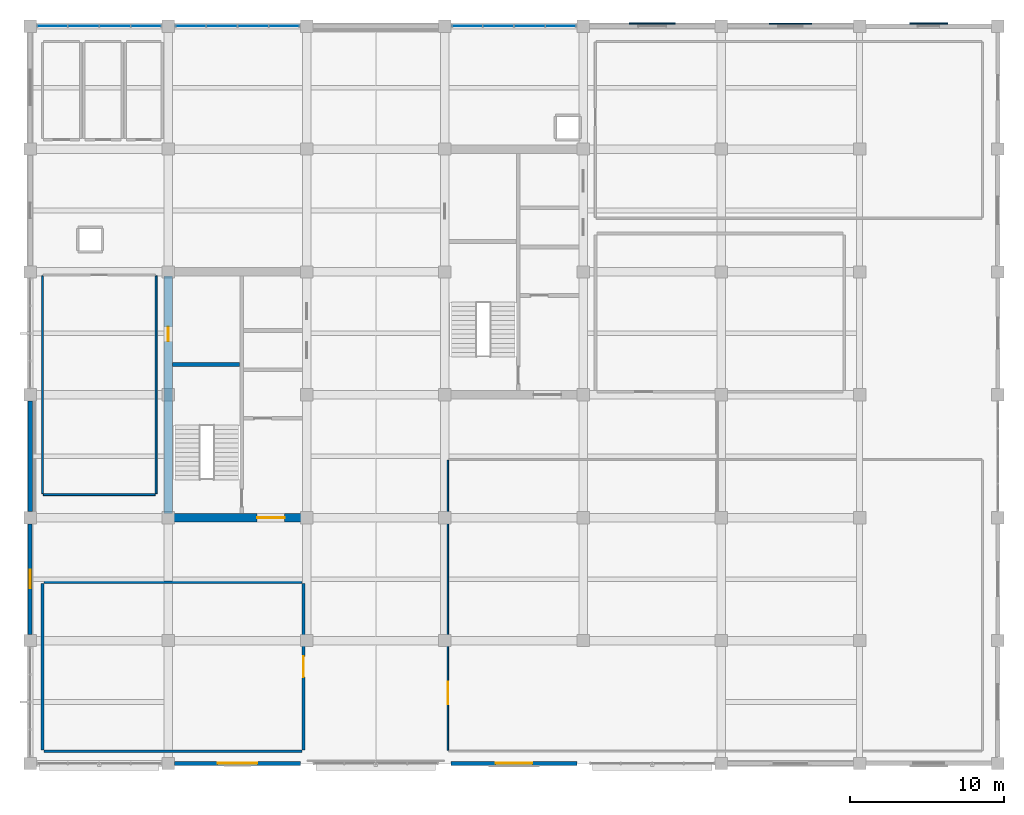
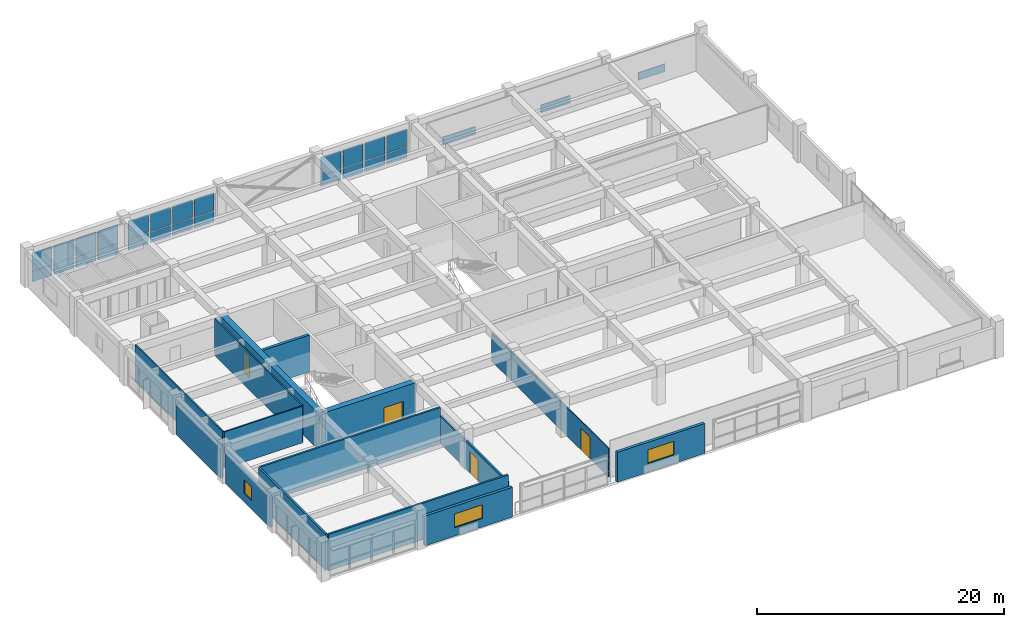
# One storey, part 12 of 16: 27 plates, 15 walls, 4 doors, 3 windows, 7 openings, 3 elements without a shape of their own.
"""IFC4 building model written with IfcOpenShell, lengths in metres."""

from ifc_helpers import new_model, si_unit, direction, frame, frame_2d, origin, place, context, subcontext, project, spatial, rectangle, extrude, material, layer, layer_set, type_object, element, fill, aggregate, save


model = new_model("IFC4")

# Units and contexts
model_context = context("Model", 3, precision=1e-05, world=origin(), true_north=direction((0.0, 1.0)))
body_context = subcontext(model_context, "Body", "Model", "MODEL_VIEW")
ifc_project = project(units=[si_unit("LENGTHUNIT", "METRE"), si_unit("AREAUNIT", "SQUARE_METRE"), si_unit("VOLUMEUNIT", "CUBIC_METRE"), si_unit("PLANEANGLEUNIT", "RADIAN"), si_unit("MASSUNIT", "GRAM", prefix="KILO")], contexts=[model_context])

# Site, building, storey
site_placement = place(None, origin())
site = spatial("IfcSite", under=ifc_project, at=site_placement, CompositionType="ELEMENT")
building_placement = place(site_placement, origin())
building = spatial("IfcBuilding", under=site, at=building_placement, Name="Zaverband Oceanarium and Marine Research Institute", CompositionType="ELEMENT")
storey_placement = place(building_placement, frame((0.0, 0.0, 41.39990234375)))
storey = spatial("IfcBuildingStorey", under=building, at=storey_placement, Name="L10", CompositionType="ELEMENT", Elevation=41.39990234375)

# Curtain wall, plates
ifc_material_1 = material(Name="Thermally broken anodized aluminium and solar-control glass", Category="aluminium")
curtain_wall_type = type_object("IfcCurtainWallType", Name="CW-UNIT-1800", PredefinedType="NOTDEFINED", material=ifc_material_1)
curtain_wall_1_placement = place(storey_placement, origin())
curtain_wall_1 = element("IfcCurtainWall", 1, at=curtain_wall_1_placement, inside=storey, type_object=curtain_wall_type, Name="Unitised glazed curtain wall CW-115", PredefinedType="NOTDEFINED")
ifc_material_2 = material(Name="Low-E double-glazed solar-control glass", Category="glass")
ifc_layer_1 = layer(ifc_material_2, 0.033935546875, Name="Low-E double-glazed solar-control glass")
ifc_layer_set_1 = layer_set([ifc_layer_1], Name="Low-E double-glazed solar-control glass")
plate_type_1 = type_object("IfcPlateType", Name="CWP-1820x1043", PredefinedType="CURTAIN_PANEL", material=ifc_layer_set_1)
plate_1_placement = place(storey_placement, frame((9.485107421875, 112.0, 0.050048828125), z_axis=(0.0, 0.0, 1.0), x_axis=(1.0, 0.0, 0.0)))
plate_1 = element("IfcPlate", 2, at=plate_1_placement, type_object=plate_type_1, Name="Glazed curtain wall panel CWP-1820x1043", PredefinedType="CURTAIN_PANEL", context=body_context, shape_type="SweptSolid", body=[
    extrude(rectangle(XDim=1.887451171875, YDim=0.033935546875, at=frame_2d((0.94384765625, 0.0))), origin(), (0.0, 0.0, 1.0), 1.031982421875),
])
plate_2_placement = place(storey_placement, frame((11.532470703125, 112.0, 0.050048828125), z_axis=(0.0, 0.0, 1.0), x_axis=(1.0, 0.0, 0.0)))
plate_2 = element("IfcPlate", 3, at=plate_2_placement, type_object=plate_type_1, Name="Glazed curtain wall panel CWP-1820x1043", PredefinedType="CURTAIN_PANEL", context=body_context, shape_type="SweptSolid", body=[
    extrude(rectangle(XDim=1.887451171875, YDim=0.033935546875, at=frame_2d((0.94384765625, 0.0))), origin(), (0.0, 0.0, 1.0), 1.031982421875),
])
plate_3_placement = place(storey_placement, frame((13.580078125, 112.0, 0.050048828125), z_axis=(0.0, 0.0, 1.0), x_axis=(1.0, 0.0, 0.0)))
plate_3 = element("IfcPlate", 4, at=plate_3_placement, type_object=plate_type_1, Name="Glazed curtain wall panel CWP-1820x1043", PredefinedType="CURTAIN_PANEL", context=body_context, shape_type="SweptSolid", body=[
    extrude(rectangle(XDim=1.887451171875, YDim=0.033935546875, at=frame_2d((0.94384765625, 0.0))), origin(), (0.0, 0.0, 1.0), 1.031982421875),
])
plate_4_placement = place(storey_placement, frame((15.62744140625, 112.0, 0.050048828125), z_axis=(0.0, 0.0, 1.0), x_axis=(1.0, 0.0, 0.0)))
plate_4 = element("IfcPlate", 5, at=plate_4_placement, type_object=plate_type_1, Name="Glazed curtain wall panel CWP-1820x1043", PredefinedType="CURTAIN_PANEL", context=body_context, shape_type="SweptSolid", body=[
    extrude(rectangle(XDim=1.887451171875, YDim=0.033935546875, at=frame_2d((0.94384765625, 0.0))), origin(), (0.0, 0.0, 1.0), 1.031982421875),
])

curtain_wall_2_placement = place(storey_placement, origin())
curtain_wall_2 = element("IfcCurtainWall", 6, at=curtain_wall_2_placement, inside=storey, type_object=curtain_wall_type, Name="Unitised glazed curtain wall CW-116", PredefinedType="NOTDEFINED")
plate_5_placement = place(storey_placement, frame((18.485107421875, 112.0, 0.050048828125), z_axis=(0.0, 0.0, 1.0), x_axis=(1.0, 0.0, 0.0)))
plate_5 = element("IfcPlate", 7, at=plate_5_placement, type_object=plate_type_1, Name="Glazed curtain wall panel CWP-1820x1043", PredefinedType="CURTAIN_PANEL", context=body_context, shape_type="SweptSolid", body=[
    extrude(rectangle(XDim=1.887451171875, YDim=0.033935546875, at=frame_2d((0.94384765625, 0.0))), origin(), (0.0, 0.0, 1.0), 1.031982421875),
])
plate_6_placement = place(storey_placement, frame((20.532470703125, 112.0, 0.050048828125), z_axis=(0.0, 0.0, 1.0), x_axis=(1.0, 0.0, 0.0)))
plate_6 = element("IfcPlate", 8, at=plate_6_placement, type_object=plate_type_1, Name="Glazed curtain wall panel CWP-1820x1043", PredefinedType="CURTAIN_PANEL", context=body_context, shape_type="SweptSolid", body=[
    extrude(rectangle(XDim=1.887451171875, YDim=0.033935546875, at=frame_2d((0.94384765625, 0.0))), origin(), (0.0, 0.0, 1.0), 1.031982421875),
])
plate_7_placement = place(storey_placement, frame((22.580078125, 112.0, 0.050048828125), z_axis=(0.0, 0.0, 1.0), x_axis=(1.0, 0.0, 0.0)))
plate_7 = element("IfcPlate", 9, at=plate_7_placement, type_object=plate_type_1, Name="Glazed curtain wall panel CWP-1820x1043", PredefinedType="CURTAIN_PANEL", context=body_context, shape_type="SweptSolid", body=[
    extrude(rectangle(XDim=1.887451171875, YDim=0.033935546875, at=frame_2d((0.94384765625, 0.0))), origin(), (0.0, 0.0, 1.0), 1.031982421875),
])
plate_8_placement = place(storey_placement, frame((24.62744140625, 112.0, 0.050048828125), z_axis=(0.0, 0.0, 1.0), x_axis=(1.0, 0.0, 0.0)))
plate_8 = element("IfcPlate", 10, at=plate_8_placement, type_object=plate_type_1, Name="Glazed curtain wall panel CWP-1820x1043", PredefinedType="CURTAIN_PANEL", context=body_context, shape_type="SweptSolid", body=[
    extrude(rectangle(XDim=1.887451171875, YDim=0.033935546875, at=frame_2d((0.94384765625, 0.0))), origin(), (0.0, 0.0, 1.0), 1.031982421875),
])

curtain_wall_3_placement = place(storey_placement, origin())
curtain_wall_3 = element("IfcCurtainWall", 11, at=curtain_wall_3_placement, inside=storey, type_object=curtain_wall_type, Name="Unitised glazed curtain wall CW-117", PredefinedType="NOTDEFINED")
plate_9_placement = place(storey_placement, frame((36.485107421875, 112.0, 0.050048828125), z_axis=(0.0, 0.0, 1.0), x_axis=(1.0, 0.0, 0.0)))
plate_9 = element("IfcPlate", 12, at=plate_9_placement, type_object=plate_type_1, Name="Glazed curtain wall panel CWP-1820x1043", PredefinedType="CURTAIN_PANEL", context=body_context, shape_type="SweptSolid", body=[
    extrude(rectangle(XDim=1.887451171875, YDim=0.033935546875, at=frame_2d((0.94384765625, 0.0))), origin(), (0.0, 0.0, 1.0), 1.031982421875),
])
plate_10_placement = place(storey_placement, frame((38.532470703125, 112.0, 0.050048828125), z_axis=(0.0, 0.0, 1.0), x_axis=(1.0, 0.0, 0.0)))
plate_10 = element("IfcPlate", 13, at=plate_10_placement, type_object=plate_type_1, Name="Glazed curtain wall panel CWP-1820x1043", PredefinedType="CURTAIN_PANEL", context=body_context, shape_type="SweptSolid", body=[
    extrude(rectangle(XDim=1.887451171875, YDim=0.033935546875, at=frame_2d((0.94384765625, 0.0))), origin(), (0.0, 0.0, 1.0), 1.031982421875),
])
plate_11_placement = place(storey_placement, frame((40.580078125, 112.0, 0.050048828125), z_axis=(0.0, 0.0, 1.0), x_axis=(1.0, 0.0, 0.0)))
plate_11 = element("IfcPlate", 14, at=plate_11_placement, type_object=plate_type_1, Name="Glazed curtain wall panel CWP-1820x1043", PredefinedType="CURTAIN_PANEL", context=body_context, shape_type="SweptSolid", body=[
    extrude(rectangle(XDim=1.887451171875, YDim=0.033935546875, at=frame_2d((0.94384765625, 0.0))), origin(), (0.0, 0.0, 1.0), 1.031982421875),
])
plate_12_placement = place(storey_placement, frame((42.62744140625, 112.0, 0.050048828125), z_axis=(0.0, 0.0, 1.0), x_axis=(1.0, 0.0, 0.0)))
plate_12 = element("IfcPlate", 15, at=plate_12_placement, type_object=plate_type_1, Name="Glazed curtain wall panel CWP-1820x1043", PredefinedType="CURTAIN_PANEL", context=body_context, shape_type="SweptSolid", body=[
    extrude(rectangle(XDim=1.887451171875, YDim=0.033935546875, at=frame_2d((0.94384765625, 0.0))), origin(), (0.0, 0.0, 1.0), 1.031982421875),
])

# Plate
ifc_layer_2 = layer(ifc_material_2, 0.035888671875, Name="Low-E double-glazed solar-control glass")
ifc_layer_set_2 = layer_set([ifc_layer_2], Name="Low-E double-glazed solar-control glass")
plate_type_2 = type_object("IfcPlateType", Name="CWP-1820x1777", PredefinedType="CURTAIN_PANEL", material=ifc_layer_set_2)
plate_13_placement = place(storey_placement, frame((9.485107421875, 112.0, 1.152099609375), z_axis=(0.0, 0.0, 1.0), x_axis=(1.0, 0.0, 0.0)))
plate_13 = element("IfcPlate", 16, at=plate_13_placement, type_object=plate_type_2, Name="Glazed curtain wall panel CWP-1820x1777", PredefinedType="CURTAIN_PANEL", context=body_context, shape_type="SweptSolid", body=[
    extrude(rectangle(XDim=1.887451171875, YDim=0.035888671875, at=frame_2d((0.94384765625, 0.0))), origin(), (0.0, 0.0, 1.0), 1.758056640625),
])

plate_14_placement = place(storey_placement, frame((11.532470703125, 112.0, 1.152099609375), z_axis=(0.0, 0.0, 1.0), x_axis=(1.0, 0.0, 0.0)))
plate_14 = element("IfcPlate", 17, at=plate_14_placement, type_object=plate_type_2, Name="Glazed curtain wall panel CWP-1820x1777", PredefinedType="CURTAIN_PANEL", context=body_context, shape_type="SweptSolid", body=[
    extrude(rectangle(XDim=1.887451171875, YDim=0.035888671875, at=frame_2d((0.94384765625, 0.0))), origin(), (0.0, 0.0, 1.0), 1.758056640625),
])

plate_15_placement = place(storey_placement, frame((13.580078125, 112.0, 1.152099609375), z_axis=(0.0, 0.0, 1.0), x_axis=(1.0, 0.0, 0.0)))
plate_15 = element("IfcPlate", 18, at=plate_15_placement, type_object=plate_type_2, Name="Glazed curtain wall panel CWP-1820x1777", PredefinedType="CURTAIN_PANEL", context=body_context, shape_type="SweptSolid", body=[
    extrude(rectangle(XDim=1.887451171875, YDim=0.035888671875, at=frame_2d((0.94384765625, 0.0))), origin(), (0.0, 0.0, 1.0), 1.758056640625),
])

plate_16_placement = place(storey_placement, frame((15.62744140625, 112.0, 1.152099609375), z_axis=(0.0, 0.0, 1.0), x_axis=(1.0, 0.0, 0.0)))
plate_16 = element("IfcPlate", 19, at=plate_16_placement, type_object=plate_type_2, Name="Glazed curtain wall panel CWP-1820x1777", PredefinedType="CURTAIN_PANEL", context=body_context, shape_type="SweptSolid", body=[
    extrude(rectangle(XDim=1.887451171875, YDim=0.035888671875, at=frame_2d((0.94384765625, 0.0))), origin(), (0.0, 0.0, 1.0), 1.758056640625),
])

aggregate(curtain_wall_1, [plate_1, plate_13, plate_2, plate_14, plate_3, plate_15, plate_4, plate_16])

plate_17_placement = place(storey_placement, frame((18.485107421875, 112.0, 1.152099609375), z_axis=(0.0, 0.0, 1.0), x_axis=(1.0, 0.0, 0.0)))
plate_17 = element("IfcPlate", 20, at=plate_17_placement, type_object=plate_type_2, Name="Glazed curtain wall panel CWP-1820x1777", PredefinedType="CURTAIN_PANEL", context=body_context, shape_type="SweptSolid", body=[
    extrude(rectangle(XDim=1.887451171875, YDim=0.035888671875, at=frame_2d((0.94384765625, 0.0))), origin(), (0.0, 0.0, 1.0), 1.758056640625),
])

plate_18_placement = place(storey_placement, frame((20.532470703125, 112.0, 1.152099609375), z_axis=(0.0, 0.0, 1.0), x_axis=(1.0, 0.0, 0.0)))
plate_18 = element("IfcPlate", 21, at=plate_18_placement, type_object=plate_type_2, Name="Glazed curtain wall panel CWP-1820x1777", PredefinedType="CURTAIN_PANEL", context=body_context, shape_type="SweptSolid", body=[
    extrude(rectangle(XDim=1.887451171875, YDim=0.035888671875, at=frame_2d((0.94384765625, 0.0))), origin(), (0.0, 0.0, 1.0), 1.758056640625),
])

plate_19_placement = place(storey_placement, frame((22.580078125, 112.0, 1.152099609375), z_axis=(0.0, 0.0, 1.0), x_axis=(1.0, 0.0, 0.0)))
plate_19 = element("IfcPlate", 22, at=plate_19_placement, type_object=plate_type_2, Name="Glazed curtain wall panel CWP-1820x1777", PredefinedType="CURTAIN_PANEL", context=body_context, shape_type="SweptSolid", body=[
    extrude(rectangle(XDim=1.887451171875, YDim=0.035888671875, at=frame_2d((0.94384765625, 0.0))), origin(), (0.0, 0.0, 1.0), 1.758056640625),
])

plate_20_placement = place(storey_placement, frame((24.62744140625, 112.0, 1.152099609375), z_axis=(0.0, 0.0, 1.0), x_axis=(1.0, 0.0, 0.0)))
plate_20 = element("IfcPlate", 23, at=plate_20_placement, type_object=plate_type_2, Name="Glazed curtain wall panel CWP-1820x1777", PredefinedType="CURTAIN_PANEL", context=body_context, shape_type="SweptSolid", body=[
    extrude(rectangle(XDim=1.887451171875, YDim=0.035888671875, at=frame_2d((0.94384765625, 0.0))), origin(), (0.0, 0.0, 1.0), 1.758056640625),
])

aggregate(curtain_wall_2, [plate_5, plate_17, plate_6, plate_18, plate_7, plate_19, plate_8, plate_20])

plate_21_placement = place(storey_placement, frame((36.485107421875, 112.0, 1.152099609375), z_axis=(0.0, 0.0, 1.0), x_axis=(1.0, 0.0, 0.0)))
plate_21 = element("IfcPlate", 24, at=plate_21_placement, type_object=plate_type_2, Name="Glazed curtain wall panel CWP-1820x1777", PredefinedType="CURTAIN_PANEL", context=body_context, shape_type="SweptSolid", body=[
    extrude(rectangle(XDim=1.887451171875, YDim=0.035888671875, at=frame_2d((0.94384765625, 0.0))), origin(), (0.0, 0.0, 1.0), 1.758056640625),
])

plate_22_placement = place(storey_placement, frame((38.532470703125, 112.0, 1.152099609375), z_axis=(0.0, 0.0, 1.0), x_axis=(1.0, 0.0, 0.0)))
plate_22 = element("IfcPlate", 25, at=plate_22_placement, type_object=plate_type_2, Name="Glazed curtain wall panel CWP-1820x1777", PredefinedType="CURTAIN_PANEL", context=body_context, shape_type="SweptSolid", body=[
    extrude(rectangle(XDim=1.887451171875, YDim=0.035888671875, at=frame_2d((0.94384765625, 0.0))), origin(), (0.0, 0.0, 1.0), 1.758056640625),
])

plate_23_placement = place(storey_placement, frame((40.580078125, 112.0, 1.152099609375), z_axis=(0.0, 0.0, 1.0), x_axis=(1.0, 0.0, 0.0)))
plate_23 = element("IfcPlate", 26, at=plate_23_placement, type_object=plate_type_2, Name="Glazed curtain wall panel CWP-1820x1777", PredefinedType="CURTAIN_PANEL", context=body_context, shape_type="SweptSolid", body=[
    extrude(rectangle(XDim=1.887451171875, YDim=0.035888671875, at=frame_2d((0.94384765625, 0.0))), origin(), (0.0, 0.0, 1.0), 1.758056640625),
])

plate_24_placement = place(storey_placement, frame((42.62744140625, 112.0, 1.152099609375), z_axis=(0.0, 0.0, 1.0), x_axis=(1.0, 0.0, 0.0)))
plate_24 = element("IfcPlate", 27, at=plate_24_placement, type_object=plate_type_2, Name="Glazed curtain wall panel CWP-1820x1777", PredefinedType="CURTAIN_PANEL", context=body_context, shape_type="SweptSolid", body=[
    extrude(rectangle(XDim=1.887451171875, YDim=0.035888671875, at=frame_2d((0.94384765625, 0.0))), origin(), (0.0, 0.0, 1.0), 1.758056640625),
])

aggregate(curtain_wall_3, [plate_9, plate_21, plate_10, plate_22, plate_11, plate_23, plate_12, plate_24])

# Plates
ifc_material_3 = material(Name="Concrete C40/50 precast ochre", Category="concrete")
ifc_layer_3 = layer(ifc_material_3, 0.074951171875, Name="Concrete C40/50 precast ochre")
ifc_layer_set_3 = layer_set([ifc_layer_3], Name="Concrete C40/50 precast ochre")
plate_type_3 = type_object("IfcPlateType", Name="FRP-2500x750", PredefinedType="USERDEFINED", material=ifc_layer_set_3)
plate_25_placement = place(storey_placement, frame((66.25, 112.16748046875, 0.0), z_axis=(0.0, 0.0, 1.0), x_axis=(1.0, 0.0, 0.0)))
element("IfcPlate", 28, at=plate_25_placement, inside=storey, type_object=plate_type_3, Name="Geometric precast facade cladding panel FRP-2500x750", ObjectType="FLANGE_PLATE", PredefinedType="USERDEFINED", context=body_context, shape_type="SweptSolid", body=[
    extrude(rectangle(XDim=2.5, YDim=0.074951171875, at=frame_2d((1.25, 0.0))), origin(), (0.0, 0.0, 1.0), 0.75),
])
ifc_layer_4 = layer(ifc_material_3, 0.080078125, Name="Concrete C40/50 precast ochre")
ifc_layer_set_4 = layer_set([ifc_layer_4], Name="Concrete C40/50 precast ochre")
plate_type_4 = type_object("IfcPlateType", Name="FRP-2750x760", PredefinedType="USERDEFINED", material=ifc_layer_set_4)
plate_26_placement = place(storey_placement, frame((57.125, 112.157470703125, 0.0), z_axis=(0.0, 0.0, 1.0), x_axis=(1.0, 0.0, 0.0)))
element("IfcPlate", 29, at=plate_26_placement, inside=storey, type_object=plate_type_4, Name="Geometric precast facade cladding panel FRP-2750x760", ObjectType="FLANGE_PLATE", PredefinedType="USERDEFINED", context=body_context, shape_type="SweptSolid", body=[
    extrude(rectangle(XDim=2.75, YDim=0.080078125, at=frame_2d((1.375, 0.0))), origin(), (0.0, 0.0, 1.0), 0.760009765625),
])
ifc_layer_5 = layer(ifc_material_3, 0.080078125, Name="Concrete C40/50 precast ochre")
ifc_layer_set_5 = layer_set([ifc_layer_5], Name="Concrete C40/50 precast ochre")
plate_type_5 = type_object("IfcPlateType", Name="FRP-3000x780", PredefinedType="USERDEFINED", material=ifc_layer_set_5)
plate_27_placement = place(storey_placement, frame((48.0, 112.169921875, 0.0), z_axis=(0.0, 0.0, 1.0), x_axis=(1.0, 0.0, 0.0)))
element("IfcPlate", 30, at=plate_27_placement, inside=storey, type_object=plate_type_5, Name="Geometric precast facade cladding panel FRP-3000x780", ObjectType="FLANGE_PLATE", PredefinedType="USERDEFINED", context=body_context, shape_type="SweptSolid", body=[
    extrude(rectangle(XDim=3.0, YDim=0.080078125, at=frame_2d((1.5, 0.0))), origin(), (0.0, 0.0, 1.0), 0.780029296875),
])

# Wall, opening, door
ifc_material_4 = material(Name="Concrete C50/60", Category="concrete")
ifc_layer_6 = layer(ifc_material_4, 0.550048828125, Name="Concrete C50/60")
ifc_layer_set_6 = layer_set([ifc_layer_6], Name="Concrete C50/60")
wall_type_1 = type_object("IfcWallType", Name="CW-01", PredefinedType="SHEAR", material=ifc_layer_set_6)
wall_1_placement = place(storey_placement, frame((18.27490234375, 80.0, 0.0), z_axis=(0.0, 0.0, 1.0), x_axis=(1.0, 0.0, 0.0)))
wall_1 = element("IfcWall", 31, at=wall_1_placement, inside=storey, type_object=wall_type_1, Name="Structural shear wall CW-01", PredefinedType="SHEAR", context=body_context, shape_type="SweptSolid", body=[
    extrude(rectangle(XDim=8.4501953125, YDim=0.550048828125, at=frame_2d((4.22509765625, 0.0))), origin(), (0.0, 0.0, 1.0), 3.6201171875),
])
opening_1_placement = place(wall_1_placement, frame((5.5, 0.0, 0.0)))
opening_1 = element("IfcOpeningElement", 32, at=opening_1_placement, cuts=wall_1, Name="Opening FD-02", PredefinedType="OPENING", context=body_context, shape_type="SweptSolid", body=[
    extrude(rectangle(XDim=1.800048828125, YDim=2.179931640625, at=frame_2d((0.89990234375, 1.08984375))), frame((0.0, 0.287109375, 0.0), z_axis=(0.0, -1.0, 0.0), x_axis=(1.0, 0.0, 0.0)), (0.0, 0.0, 1.0), 0.573974609375),
])
ifc_material_5 = material(Name="Steel S355", Category="steel")
door_type_1 = type_object("IfcDoorType", Name="FD-02", OperationType="DOUBLE_DOOR_SINGLE_SWING", PredefinedType="DOOR", material=ifc_material_5)
door_1_placement = place(opening_1_placement, origin())
door_1 = element("IfcDoor", 33, at=door_1_placement, inside=storey, type_object=door_type_1, Name="Protected lobby double fire door FD-02", OperationType="DOUBLE_DOOR_SINGLE_SWING", OverallHeight=2.179931640625, OverallWidth=1.800048828125, PredefinedType="DOOR", context=body_context, shape_type="SweptSolid", body=[
    extrude(rectangle(XDim=1.800048828125, YDim=2.179931640625, at=frame_2d((0.89990234375, 1.08984375))), frame((0.0, 0.02490234375, 0.0), z_axis=(0.0, -1.0, 0.0), x_axis=(1.0, 0.0, 0.0)), (0.0, 0.0, 1.0), 0.050048828125),
])
fill(opening_1, door_1)

wall_2_placement = place(storey_placement, frame((18.0, 80.27490234375, 0.0), z_axis=(0.0, 0.0, 1.0), x_axis=(0.0, 1.0, 0.0)))
wall_2 = element("IfcWall", 34, at=wall_2_placement, inside=storey, type_object=wall_type_1, Name="Structural shear wall CW-01", PredefinedType="SHEAR", context=body_context, shape_type="SweptSolid", body=[
    extrude(rectangle(XDim=15.4501953125, YDim=0.550048828125, at=frame_2d((7.72509765625, 0.0))), origin(), (0.0, 0.0, 1.0), 3.6201171875),
])
opening_2_placement = place(wall_2_placement, frame((11.199951171875, 0.0, 0.0)))
opening_2 = element("IfcOpeningElement", 35, at=opening_2_placement, cuts=wall_2, Name="Opening FD-03", PredefinedType="OPENING", context=body_context, shape_type="SweptSolid", body=[
    extrude(rectangle(XDim=0.949951171875, YDim=2.10009765625, at=frame_2d((0.47509765625, 1.050048828125))), frame((0.0, 0.287109375, 0.0), z_axis=(0.0, -1.0, 0.0), x_axis=(1.0, 0.0, 0.0)), (0.0, 0.0, 1.0), 0.573974609375),
])
door_type_2 = type_object("IfcDoorType", Name="FD-03", OperationType="NOTDEFINED", PredefinedType="DOOR", material=ifc_material_5)
door_2_placement = place(opening_2_placement, origin())
door_2 = element("IfcDoor", 36, at=door_2_placement, inside=storey, type_object=door_type_2, Name="Service riser access fire door FD-03", OperationType="SINGLE_SWING_RIGHT", OverallHeight=2.10009765625, OverallWidth=0.949951171875, PredefinedType="DOOR", context=body_context, shape_type="SweptSolid", body=[
    extrude(rectangle(XDim=0.949951171875, YDim=2.10009765625, at=frame_2d((0.47509765625, 1.050048828125))), frame((0.0, 0.02490234375, 0.0), z_axis=(0.0, -1.0, 0.0), x_axis=(1.0, 0.0, 0.0)), (0.0, 0.0, 1.0), 0.050048828125),
])
fill(opening_2, door_2)

# Wall, opening, window
ifc_material_6 = material(Name="Concrete C40/50 precast", Category="concrete")
ifc_layer_7 = layer(ifc_material_6, 0.264892578125, Name="Concrete C40/50 precast")
ifc_layer_set_7 = layer_set([ifc_layer_7], Name="Concrete C40/50 precast")
wall_type_2 = type_object("IfcWallType", Name="EW-265", PredefinedType="STANDARD", material=ifc_layer_set_7)
wall_3_placement = place(storey_placement, frame((18.405029296875, 64.0, 0.0), z_axis=(0.0, 0.0, 1.0), x_axis=(1.0, 0.0, 0.0)))
wall_3 = element("IfcWall", 37, at=wall_3_placement, inside=storey, type_object=wall_type_2, Name="Exterior infill wall EW-265", PredefinedType="STANDARD", context=body_context, shape_type="SweptSolid", body=[
    extrude(rectangle(XDim=8.18994140625, YDim=0.264892578125, at=frame_2d((4.094970703125, 0.0))), origin(), (0.0, 0.0, 1.0), 2.9501953125),
])
opening_3_placement = place(wall_3_placement, frame((2.794921875, 0.0, 0.85009765625)))
opening_3 = element("IfcOpeningElement", 38, at=opening_3_placement, cuts=wall_3, Name="Opening WN-2600x1350", PredefinedType="OPENING", context=body_context, shape_type="SweptSolid", body=[
    extrude(rectangle(XDim=2.60009765625, YDim=1.35009765625, at=frame_2d((1.300048828125, 0.675048828125))), frame((0.0, 0.14453125, 0.0), z_axis=(0.0, -1.0, 0.0), x_axis=(1.0, 0.0, 0.0)), (0.0, 0.0, 1.0), 0.288818359375),
])
window_type_1 = type_object("IfcWindowType", Name="WN-2600x1350", PartitioningType="SINGLE_PANEL", PredefinedType="WINDOW", material=ifc_material_1)
window_1_placement = place(opening_3_placement, origin())
window_1 = element("IfcWindow", 39, at=window_1_placement, inside=storey, type_object=window_type_1, Name="Fixed / casement exterior window WN-2600x1350", OverallHeight=1.35009765625, OverallWidth=2.60009765625, PartitioningType="SINGLE_PANEL", PredefinedType="WINDOW", context=body_context, shape_type="SweptSolid", body=[
    extrude(rectangle(XDim=2.60009765625, YDim=1.35009765625, at=frame_2d((1.300048828125, 0.675048828125))), frame((0.0, 0.030029296875, 0.0), z_axis=(0.0, -1.0, 0.0), x_axis=(1.0, 0.0, 0.0)), (0.0, 0.0, 1.0), 0.06005859375),
])
fill(opening_3, window_1)

wall_4_placement = place(storey_placement, frame((36.405029296875, 64.0, 0.0), z_axis=(0.0, 0.0, 1.0), x_axis=(1.0, 0.0, 0.0)))
wall_4 = element("IfcWall", 40, at=wall_4_placement, inside=storey, type_object=wall_type_2, Name="Exterior infill wall EW-265", PredefinedType="STANDARD", context=body_context, shape_type="SweptSolid", body=[
    extrude(rectangle(XDim=8.18994140625, YDim=0.264892578125, at=frame_2d((4.094970703125, 0.0))), origin(), (0.0, 0.0, 1.0), 2.9501953125),
])
opening_4_placement = place(wall_4_placement, frame((2.89501953125, 0.0, 0.85009765625)))
opening_4 = element("IfcOpeningElement", 41, at=opening_4_placement, cuts=wall_4, Name="Opening WN-2400x1350", PredefinedType="OPENING", context=body_context, shape_type="SweptSolid", body=[
    extrude(rectangle(XDim=2.39990234375, YDim=1.35009765625, at=frame_2d((1.199951171875, 0.675048828125))), frame((0.0, 0.14453125, 0.0), z_axis=(0.0, -1.0, 0.0), x_axis=(1.0, 0.0, 0.0)), (0.0, 0.0, 1.0), 0.288818359375),
])
window_type_2 = type_object("IfcWindowType", Name="WN-2400x1350", PartitioningType="SINGLE_PANEL", PredefinedType="WINDOW", material=ifc_material_1)
window_2_placement = place(opening_4_placement, origin())
window_2 = element("IfcWindow", 42, at=window_2_placement, inside=storey, type_object=window_type_2, Name="Fixed / casement exterior window WN-2400x1350", OverallHeight=1.35009765625, OverallWidth=2.39990234375, PartitioningType="SINGLE_PANEL", PredefinedType="WINDOW", context=body_context, shape_type="SweptSolid", body=[
    extrude(rectangle(XDim=2.39990234375, YDim=1.35009765625, at=frame_2d((1.199951171875, 0.675048828125))), frame((0.0, 0.030029296875, 0.0), z_axis=(0.0, -1.0, 0.0), x_axis=(1.0, 0.0, 0.0)), (0.0, 0.0, 1.0), 0.06005859375),
])
fill(opening_4, window_2)

wall_5_placement = place(storey_placement, frame((9.0, 72.405029296875, 0.0), z_axis=(0.0, 0.0, 1.0), x_axis=(0.0, 1.0, 0.0)))
wall_5 = element("IfcWall", 43, at=wall_5_placement, inside=storey, type_object=wall_type_2, Name="Exterior infill wall EW-265", PredefinedType="STANDARD", context=body_context, shape_type="SweptSolid", body=[
    extrude(rectangle(XDim=7.18994140625, YDim=0.264892578125, at=frame_2d((3.594970703125, 0.0))), origin(), (0.0, 0.0, 1.0), 2.9501953125),
])
opening_5_placement = place(wall_5_placement, frame((2.9951171875, 0.0, 0.85009765625)))
opening_5 = element("IfcOpeningElement", 44, at=opening_5_placement, cuts=wall_5, Name="Opening WN-1200x1350", PredefinedType="OPENING", context=body_context, shape_type="SweptSolid", body=[
    extrude(rectangle(XDim=1.199951171875, YDim=1.35009765625, at=frame_2d((0.60009765625, 0.675048828125))), frame((0.0, 0.14453125, 0.0), z_axis=(0.0, -1.0, 0.0), x_axis=(1.0, 0.0, 0.0)), (0.0, 0.0, 1.0), 0.288818359375),
])
window_type_3 = type_object("IfcWindowType", Name="WN-1200x1350", PartitioningType="SINGLE_PANEL", PredefinedType="WINDOW", material=ifc_material_1)
window_3_placement = place(opening_5_placement, origin())
window_3 = element("IfcWindow", 45, at=window_3_placement, inside=storey, type_object=window_type_3, Name="Fixed / casement exterior window WN-1200x1350", OverallHeight=1.35009765625, OverallWidth=1.199951171875, PartitioningType="SINGLE_PANEL", PredefinedType="WINDOW", context=body_context, shape_type="SweptSolid", body=[
    extrude(rectangle(XDim=1.199951171875, YDim=1.35009765625, at=frame_2d((0.60009765625, 0.675048828125))), frame((0.0, 0.030029296875, 0.0), z_axis=(0.0, -1.0, 0.0), x_axis=(1.0, 0.0, 0.0)), (0.0, 0.0, 1.0), 0.06005859375),
])
fill(opening_5, window_3)

# Wall
ifc_layer_8 = layer(ifc_material_6, 0.2900390625, Name="Concrete C40/50 precast")
ifc_layer_set_8 = layer_set([ifc_layer_8], Name="Concrete C40/50 precast")
wall_type_3 = type_object("IfcWallType", Name="EW-290", PredefinedType="STANDARD", material=ifc_layer_set_8)
wall_6_placement = place(storey_placement, frame((9.0, 80.405029296875, 0.0), z_axis=(0.0, 0.0, 1.0), x_axis=(0.0, 1.0, 0.0)))
element("IfcWall", 46, at=wall_6_placement, inside=storey, type_object=wall_type_3, Name="Exterior infill wall EW-290", PredefinedType="STANDARD", context=body_context, shape_type="SweptSolid", body=[
    extrude(rectangle(XDim=7.18994140625, YDim=0.2900390625, at=frame_2d((3.594970703125, 0.0))), origin(), (0.0, 0.0, 1.0), 2.9501953125),
])

# Wall, opening, door
ifc_material_7 = material(Name="Framed fire-rated glass laboratory partition", Category="glass")
ifc_layer_9 = layer(ifc_material_7, 0.10009765625, Name="Framed fire-rated glass laboratory partition")
ifc_layer_set_9 = layer_set([ifc_layer_9], Name="Framed fire-rated glass laboratory partition")
wall_type_4 = type_object("IfcWallType", Name="PT-100-GL", PredefinedType="PARTITIONING", material=ifc_layer_set_9)
wall_7_placement = place(storey_placement, frame((36.199951171875, 64.85009765625, 0.0), z_axis=(0.0, 0.0, 1.0), x_axis=(0.0, 1.0, 0.0)))
wall_7 = element("IfcWall", 47, at=wall_7_placement, inside=storey, type_object=wall_type_4, Name="Internal partition PT-100-GL", PredefinedType="PARTITIONING", context=body_context, shape_type="SweptSolid", body=[
    extrude(rectangle(XDim=18.89990234375, YDim=0.10009765625, at=frame_2d((9.449951171875, 0.0))), origin(), (0.0, 0.0, 1.0), 2.820068359375),
])
opening_6_placement = place(wall_7_placement, frame((3.0, 0.0, 0.0)))
opening_6 = element("IfcOpeningElement", 48, at=opening_6_placement, cuts=wall_7, Name="Opening ID-1460x2150", PredefinedType="OPENING", context=body_context, shape_type="SweptSolid", body=[
    extrude(rectangle(XDim=1.4599609375, YDim=2.14990234375, at=frame_2d((0.72998046875, 1.074951171875))), frame((0.0, 0.06201171875, 0.0), z_axis=(0.0, -1.0, 0.0), x_axis=(1.0, 0.0, 0.0)), (0.0, 0.0, 1.0), 0.1240234375),
])
ifc_material_8 = material(Name="Hardwood-veneered acoustic timber", Category="wood")
door_type_3 = type_object("IfcDoorType", Name="ID-1460x2150", OperationType="NOTDEFINED", PredefinedType="DOOR", material=ifc_material_8)
door_3_placement = place(opening_6_placement, origin())
door_3 = element("IfcDoor", 49, at=door_3_placement, inside=storey, type_object=door_type_3, Name="Wet laboratory leaf-and-a-half door ID-1460x2150", OperationType="SINGLE_SWING_RIGHT", OverallHeight=2.14990234375, OverallWidth=1.4599609375, PredefinedType="DOOR", context=body_context, shape_type="SweptSolid", body=[
    extrude(rectangle(XDim=1.4599609375, YDim=2.14990234375, at=frame_2d((0.72998046875, 1.074951171875))), frame((0.0, 0.02490234375, 0.0), z_axis=(0.0, -1.0, 0.0), x_axis=(1.0, 0.0, 0.0)), (0.0, 0.0, 1.0), 0.050048828125),
])
fill(opening_6, door_3)

# Walls
ifc_material_9 = material(Name="Insulated metal-stud office partition")
ifc_layer_10 = layer(ifc_material_9, 0.1201171875, Name="Insulated metal-stud office partition")
ifc_layer_set_10 = layer_set([ifc_layer_10], Name="Insulated metal-stud office partition")
wall_type_5 = type_object("IfcWallType", Name="PT-120-OF", PredefinedType="PARTITIONING", material=ifc_layer_set_10)
wall_8_placement = place(storey_placement, frame((9.860107421875, 81.5, 0.0), z_axis=(0.0, 0.0, 1.0), x_axis=(1.0, 0.0, 0.0)))
element("IfcWall", 50, at=wall_8_placement, inside=storey, type_object=wall_type_5, Name="Internal partition PT-120-OF", PredefinedType="PARTITIONING", context=body_context, shape_type="SweptSolid", body=[
    extrude(rectangle(XDim=7.27978515625, YDim=0.1201171875, at=frame_2d((3.639892578125, 0.0))), origin(), (0.0, 0.0, 1.0), 3.6201171875),
])
for number, where, z_axis, x_axis, name in (
    (51, (9.800048828125, 81.56005859375, 0.0), (0.0, 0.0, 1.0), (0.0, 1.0, 0.0), "Internal partition PT-120-OF"),
    (52, (17.199951171875, 81.56005859375, 0.0), (0.0, 0.0, 1.0), (0.0, 1.0, 0.0), "Internal partition PT-120-OF"),
):
    element("IfcWall", number, at=place(storey_placement, frame(where, z_axis=z_axis, x_axis=x_axis)), inside=storey, type_object=wall_type_5, Name=name, PredefinedType="PARTITIONING", context=body_context, shape_type="SweptSolid", body=[
        extrude(rectangle(XDim=14.179931640625, YDim=0.1201171875, at=frame_2d((7.08984375, 0.0))), origin(), (0.0, 0.0, 1.0), 3.6201171875),
    ])
ifc_material_10 = material(Name="Moisture-resistant laboratory blockwork", Category="masonry")
ifc_layer_11 = layer(ifc_material_10, 0.179931640625, Name="Moisture-resistant laboratory blockwork")
ifc_layer_set_11 = layer_set([ifc_layer_11], Name="Moisture-resistant laboratory blockwork")
wall_type_6 = type_object("IfcWallType", Name="PT-180-LB", PredefinedType="PARTITIONING", material=ifc_layer_set_11)
for number, where, z_axis, x_axis, name in (
    (53, (9.889892578125, 64.800048828125, 0.0), (0.0, 0.0, 1.0), (1.0, 0.0, 0.0), "Internal partition PT-180-LB"),
    (54, (9.889892578125, 75.800048828125, 0.0), (0.0, 0.0, 1.0), (1.0, 0.0, 0.0), "Internal partition PT-180-LB"),
):
    element("IfcWall", number, at=place(storey_placement, frame(where, z_axis=z_axis, x_axis=x_axis)), inside=storey, type_object=wall_type_6, Name=name, PredefinedType="PARTITIONING", context=body_context, shape_type="SweptSolid", body=[
        extrude(rectangle(XDim=16.820068359375, YDim=0.179931640625, at=frame_2d((8.41015625, 0.0))), origin(), (0.0, 0.0, 1.0), 3.6201171875),
    ])
wall_9_placement = place(storey_placement, frame((9.800048828125, 64.889892578125, 0.0), z_axis=(0.0, 0.0, 1.0), x_axis=(0.0, 1.0, 0.0)))
element("IfcWall", 55, at=wall_9_placement, inside=storey, type_object=wall_type_6, Name="Internal partition PT-180-LB", PredefinedType="PARTITIONING", context=body_context, shape_type="SweptSolid", body=[
    extrude(rectangle(XDim=10.820068359375, YDim=0.179931640625, at=frame_2d((5.41015625, 0.0))), origin(), (0.0, 0.0, 1.0), 3.6201171875),
])

# Wall, opening, door
wall_10_placement = place(storey_placement, frame((26.800048828125, 64.889892578125, 0.0), z_axis=(0.0, 0.0, 1.0), x_axis=(0.0, 1.0, 0.0)))
wall_10 = element("IfcWall", 56, at=wall_10_placement, inside=storey, type_object=wall_type_6, Name="Internal partition PT-180-LB", PredefinedType="PARTITIONING", context=body_context, shape_type="SweptSolid", body=[
    extrude(rectangle(XDim=10.820068359375, YDim=0.179931640625, at=frame_2d((5.41015625, 0.0))), origin(), (0.0, 0.0, 1.0), 2.820068359375),
])
opening_7_placement = place(wall_10_placement, frame((4.735107421875, 0.0, 0.0)))
opening_7 = element("IfcOpeningElement", 57, at=opening_7_placement, cuts=wall_10, Name="Opening ID-1350x2140", PredefinedType="OPENING", context=body_context, shape_type="SweptSolid", body=[
    extrude(rectangle(XDim=1.35009765625, YDim=2.139892578125, at=frame_2d((0.675048828125, 1.06982421875))), frame((0.0, 0.10205078125, 0.0), z_axis=(0.0, -1.0, 0.0), x_axis=(1.0, 0.0, 0.0)), (0.0, 0.0, 1.0), 0.203857421875),
])
door_type_4 = type_object("IfcDoorType", Name="ID-1350x2140", OperationType="NOTDEFINED", PredefinedType="DOOR", material=ifc_material_8)
door_4_placement = place(opening_7_placement, origin())
door_4 = element("IfcDoor", 58, at=door_4_placement, inside=storey, type_object=door_type_4, Name="Oceanography laboratory equipment door ID-1350x2140", OperationType="SINGLE_SWING_LEFT", OverallHeight=2.139892578125, OverallWidth=1.35009765625, PredefinedType="DOOR", context=body_context, shape_type="SweptSolid", body=[
    extrude(rectangle(XDim=1.35009765625, YDim=2.139892578125, at=frame_2d((0.675048828125, 1.06982421875))), frame((0.0, 0.02490234375, 0.0), z_axis=(0.0, -1.0, 0.0), x_axis=(1.0, 0.0, 0.0)), (0.0, 0.0, 1.0), 0.050048828125),
])
fill(opening_7, door_4)

# Wall
ifc_layer_12 = layer(ifc_material_4, 0.25, Name="Concrete C50/60")
ifc_layer_set_12 = layer_set([ifc_layer_12], Name="Concrete C50/60")
wall_type_7 = type_object("IfcWallType", Name="PW-CORE-250", PredefinedType="SOLIDWALL", material=ifc_layer_set_12)
wall_11_placement = place(storey_placement, frame((18.27490234375, 89.97509765625, 0.0), z_axis=(0.0, 0.0, 1.0), x_axis=(1.0, 0.0, 0.0)))
element("IfcWall", 59, at=wall_11_placement, inside=storey, type_object=wall_type_7, Name="Structural concrete wall PW-CORE-250", PredefinedType="SOLIDWALL", context=body_context, shape_type="SweptSolid", body=[
    extrude(rectangle(XDim=4.3701171875, YDim=0.25, at=frame_2d((2.18505859375, 0.0))), origin(), (0.0, 0.0, 1.0), 3.6201171875),
])

save(model, "model.ifc")
